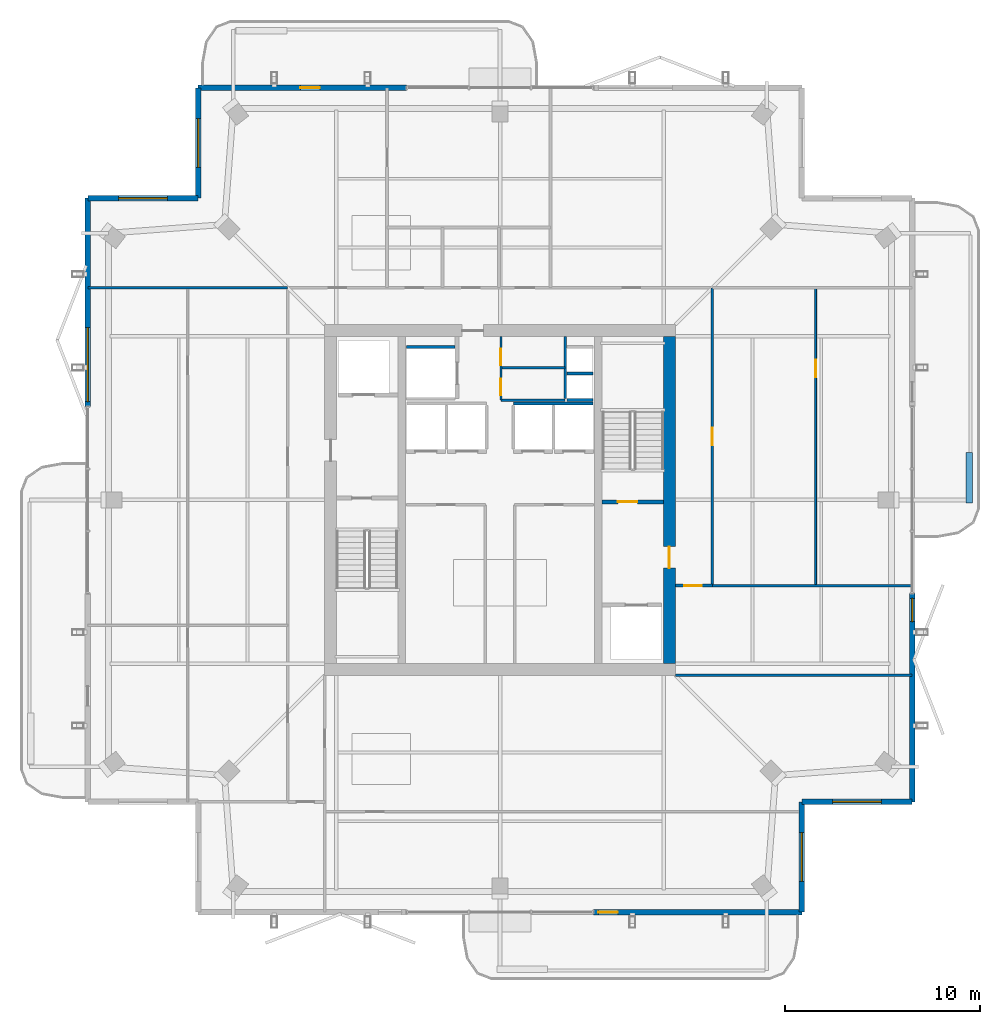
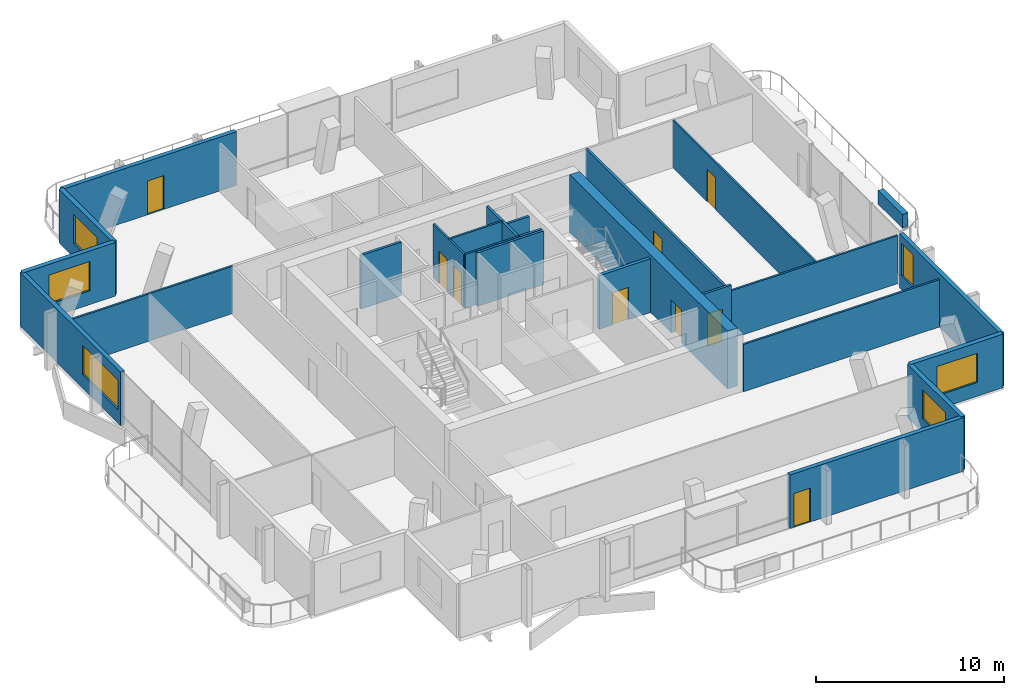
# One storey, part 16 of 20: 25 walls, 9 doors, 6 windows, 15 openings.
"""IFC4 building model written with IfcOpenShell, lengths in metres."""

from ifc_helpers import new_model, si_unit, direction, frame, frame_2d, origin, place, context, subcontext, project, spatial, rectangle, extrude, material, layer, layer_set, type_object, element, fill, save


model = new_model("IFC4")

# Units and contexts
model_context = context("Model", 3, precision=1e-05, world=origin(), true_north=direction((0.0, 1.0)))
body_context = subcontext(model_context, "Body", "Model", "MODEL_VIEW")
ifc_project = project(units=[si_unit("LENGTHUNIT", "METRE"), si_unit("AREAUNIT", "SQUARE_METRE"), si_unit("VOLUMEUNIT", "CUBIC_METRE"), si_unit("PLANEANGLEUNIT", "RADIAN"), si_unit("MASSUNIT", "GRAM", prefix="KILO")], contexts=[model_context])

# Site, building, storey
site_placement = place(None, origin())
site = spatial("IfcSite", under=ifc_project, at=site_placement, CompositionType="ELEMENT")
building_placement = place(site_placement, origin())
building = spatial("IfcBuilding", under=site, at=building_placement, Name="Belovzor Exchange Tower", CompositionType="ELEMENT")
storey_placement = place(building_placement, frame((0.0, 0.0, 351.75)))
storey = spatial("IfcBuildingStorey", under=building, at=storey_placement, Name="L88", CompositionType="ELEMENT", Elevation=351.75)

# Walls
ifc_material_1 = material(Name="Acoustic Plasterboard on Galvanised Studs", Category="gypsum")
ifc_layer_1 = layer(ifc_material_1, 0.1201171875)
ifc_layer_set_1 = layer_set([ifc_layer_1], Name="Acoustic Plasterboard on Galvanised Studs")
wall_type_1 = type_object("IfcWallType", Name="Acoustic Double-Stud Partition Wall 120", PredefinedType="PARTITIONING", material=ifc_layer_set_1)
wall_1_placement = place(storey_placement, frame((37.800048828125, 19.800048828125, 0.0), z_axis=(0.0, 0.0, 1.0), x_axis=(1.0, 0.0, 0.0)))
element("IfcWall", 1, at=wall_1_placement, inside=storey, type_object=wall_type_1, Name="W-P120 Partition Wall W-L88-ESS", PredefinedType="PARTITIONING", context=body_context, shape_type="SweptSolid", body=[
    extrude(rectangle(XDim=12.169921875, YDim=0.1201171875, at=frame_2d((6.0849609375, 0.0))), origin(), (0.0, 0.0, 1.0), 3.074951171875),
])
wall_2_placement = place(storey_placement, frame((39.699951171875, 24.39990234375, 0.0), z_axis=(0.0, 0.0, 1.0), x_axis=(1.0, 0.0, 0.0)))
element("IfcWall", 2, at=wall_2_placement, inside=storey, type_object=wall_type_1, Name="W-P120 Partition Wall W-L88-ESN", PredefinedType="PARTITIONING", context=body_context, shape_type="SweptSolid", body=[
    extrude(rectangle(XDim=10.27001953125, YDim=0.1201171875, at=frame_2d((5.135009765625, 0.0))), origin(), (0.0, 0.0, 1.0), 3.114990234375),
])
wall_3_placement = place(storey_placement, frame((7.6298828125, 39.699951171875, 0.0), z_axis=(0.0, 0.0, 1.0), x_axis=(1.0, 0.0, 0.0)))
element("IfcWall", 3, at=wall_3_placement, inside=storey, type_object=wall_type_1, Name="W-P120 Partition Wall W-L88-END-NW", PredefinedType="PARTITIONING", context=body_context, shape_type="SweptSolid", body=[
    extrude(rectangle(XDim=10.27001953125, YDim=0.1201171875, at=frame_2d((5.135009765625, 0.0))), origin(), (0.0, 0.0, 1.0), 3.074951171875),
])

# Wall, opening, door
ifc_material_2 = material(Name="Acoustic Laminated Glass and Aluminium", Category="aluminium")
ifc_layer_2 = layer(ifc_material_2, 0.10009765625)
ifc_layer_set_2 = layer_set([ifc_layer_2], Name="Acoustic Laminated Glass and Aluminium")
wall_type_2 = type_object("IfcWallType", Name="Demountable Executive Glass Partition 100", PredefinedType="MOVABLE", material=ifc_layer_set_2)
wall_4_placement = place(storey_placement, frame((45.006103515625, 24.39990234375, 0.0), z_axis=(0.0, 0.0, 1.0), x_axis=(0.0, 1.0, 0.0)))
wall_4 = element("IfcWall", 4, at=wall_4_placement, inside=storey, type_object=wall_type_2, Name="W-M100 Partition Wall W-L88-EHDIV-0", PredefinedType="MOVABLE", context=body_context, shape_type="SweptSolid", body=[
    extrude(rectangle(XDim=15.300048828125, YDim=0.10009765625, at=frame_2d((7.64990234375, 0.0))), origin(), (0.0, 0.0, 1.0), 3.074951171875),
])
opening_1_placement = place(wall_4_placement, frame((10.699951171875, 0.0, 0.0)))
opening_1 = element("IfcOpeningElement", 5, at=opening_1_placement, cuts=wall_4, Name="Opening D-INT-090", PredefinedType="OPENING", context=body_context, shape_type="SweptSolid", body=[
    extrude(rectangle(XDim=0.89990234375, YDim=2.10009765625, at=frame_2d((0.449951171875, 1.050048828125))), frame((0.0, 0.06005859375, 0.0), z_axis=(0.0, -1.0, 0.0), x_axis=(1.0, 0.0, 0.0)), (0.0, 0.0, 1.0), 0.1201171875),
])
ifc_material_3 = material(Name="Veneered Hardwood Acoustic Leaf", Category="wood")
door_type_1 = type_object("IfcDoorType", Name="Trading Suite Acoustic Single Door 900x2100", OperationType="NOTDEFINED", PredefinedType="DOOR", material=ifc_material_3)
door_1_placement = place(opening_1_placement, origin())
door_1 = element("IfcDoor", 6, at=door_1_placement, inside=storey, type_object=door_type_1, Name="D-INT-090 Trading Suite Acoustic Single Door 900x2100", OperationType="SINGLE_SWING_RIGHT", OverallHeight=2.10009765625, OverallWidth=0.89990234375, PredefinedType="DOOR", context=body_context, shape_type="SweptSolid", body=[
    extrude(rectangle(XDim=0.89990234375, YDim=2.10009765625, at=frame_2d((0.449951171875, 1.050048828125))), frame((0.0, 0.02490234375, 0.0), z_axis=(0.0, -1.0, 0.0), x_axis=(1.0, 0.0, 0.0)), (0.0, 0.0, 1.0), 0.050048828125),
])
fill(opening_1, door_1)

# Wall, openings, doors
ifc_material_4 = material(Name="Fire-Rated Plasterboard on Galvanised Studs", Category="gypsum")
ifc_layer_3 = layer(ifc_material_4, 0.1201171875)
ifc_layer_set_3 = layer_set([ifc_layer_3], Name="Fire-Rated Plasterboard on Galvanised Studs")
wall_type_3 = type_object("IfcWallType", Name="Fire-Rated Double-Stud Partition Wall 120", PredefinedType="PARTITIONING", material=ifc_layer_set_3)
wall_5_placement = place(storey_placement, frame((28.85009765625, 33.925048828125, 0.0), z_axis=(0.0, 0.0, 1.0), x_axis=(0.0, 1.0, 0.0)))
wall_5 = element("IfcWall", 7, at=wall_5_placement, inside=storey, type_object=wall_type_3, Name="W-P120F Partition Wall W-CRV-L88-W", PredefinedType="PARTITIONING", context=body_context, shape_type="SweptSolid", body=[
    extrude(rectangle(XDim=3.27490234375, YDim=0.1201171875, at=frame_2d((1.637451171875, 0.0))), origin(), (0.0, 0.0, 1.0), 3.489990234375),
])
opening_2_placement = place(wall_5_placement, frame((0.25, 0.0, 0.0)))
opening_2 = element("IfcOpeningElement", 8, at=opening_2_placement, cuts=wall_5, Name="Opening D-FD60-085", PredefinedType="OPENING", context=body_context, shape_type="SweptSolid", body=[
    extrude(rectangle(XDim=0.85009765625, YDim=2.10009765625, at=frame_2d((0.425048828125, 1.050048828125))), frame((0.0, 0.070068359375, 0.0), z_axis=(0.0, -1.0, 0.0), x_axis=(1.0, 0.0, 0.0)), (0.0, 0.0, 1.0), 0.14013671875),
])
opening_3_placement = place(wall_5_placement, frame((1.794921875, 0.0, 0.0)))
opening_3 = element("IfcOpeningElement", 9, at=opening_3_placement, cuts=wall_5, Name="Opening D-FD60-085", PredefinedType="OPENING", context=body_context, shape_type="SweptSolid", body=[
    extrude(rectangle(XDim=0.85009765625, YDim=2.10009765625, at=frame_2d((0.425048828125, 1.050048828125))), frame((0.0, 0.070068359375, 0.0), z_axis=(0.0, -1.0, 0.0), x_axis=(1.0, 0.0, 0.0)), (0.0, 0.0, 1.0), 0.14013671875),
])
ifc_material_5 = material(Name="Fire-Rated Steel Access Leaf", Category="steel")
door_type_2 = type_object("IfcDoorType", Name="Riser & Meter Closet Access Fire Door 850x2100", OperationType="NOTDEFINED", PredefinedType="DOOR", material=ifc_material_5)
door_2_placement = place(opening_2_placement, origin())
door_2 = element("IfcDoor", 10, at=door_2_placement, inside=storey, type_object=door_type_2, Name="D-FD60-085 Riser & Meter Closet Access Fire Door 850x2100", OperationType="SINGLE_SWING_LEFT", OverallHeight=2.10009765625, OverallWidth=0.85009765625, PredefinedType="DOOR", context=body_context, shape_type="SweptSolid", body=[
    extrude(rectangle(XDim=0.85009765625, YDim=2.10009765625, at=frame_2d((0.425048828125, 1.050048828125))), frame((0.0, 0.02490234375, 0.0), z_axis=(0.0, -1.0, 0.0), x_axis=(1.0, 0.0, 0.0)), (0.0, 0.0, 1.0), 0.050048828125),
])
fill(opening_2, door_2)
door_3_placement = place(opening_3_placement, origin())
door_3 = element("IfcDoor", 11, at=door_3_placement, inside=storey, type_object=door_type_2, Name="D-FD60-085 Riser & Meter Closet Access Fire Door 850x2100", OperationType="SINGLE_SWING_RIGHT", OverallHeight=2.10009765625, OverallWidth=0.85009765625, PredefinedType="DOOR", context=body_context, shape_type="SweptSolid", body=[
    extrude(rectangle(XDim=0.85009765625, YDim=2.10009765625, at=frame_2d((0.425048828125, 1.050048828125))), frame((0.0, 0.02490234375, 0.0), z_axis=(0.0, -1.0, 0.0), x_axis=(1.0, 0.0, 0.0)), (0.0, 0.0, 1.0), 0.050048828125),
])
fill(opening_3, door_3)

# Walls
for number, where, z_axis, x_axis, name in (
    (12, (28.85009765625, 35.60009765625, 0.0), (0.0, 0.0, 1.0), (1.0, 0.0, 0.0), "W-P120F Partition Wall W-CRV-L88-M"),
    (13, (28.85009765625, 33.925048828125, 0.0), (0.0, 0.0, 1.0), (1.0, 0.0, 0.0), "W-P120F Partition Wall W-CRV-L88-S"),
):
    element("IfcWall", number, at=place(storey_placement, frame(where, z_axis=z_axis, x_axis=x_axis)), inside=storey, type_object=wall_type_3, Name=name, PredefinedType="PARTITIONING", context=body_context, shape_type="SweptSolid", body=[
        extrude(rectangle(XDim=3.2998046875, YDim=0.1201171875, at=frame_2d((1.64990234375, 0.0))), origin(), (0.0, 0.0, 1.0), 3.489990234375),
    ])

# Wall, opening, door
ifc_material_6 = material(Name="Fire-Rated Gypsum Block and Mineral Wool", Category="gypsum")
ifc_layer_4 = layer(ifc_material_6, 0.14990234375)
ifc_layer_set_4 = layer_set([ifc_layer_4], Name="Fire-Rated Gypsum Block and Mineral Wool")
wall_type_4 = type_object("IfcWallType", Name="Fire-Rated Gypsum Block Corridor Wall 150", PredefinedType="PARTITIONING", material=ifc_layer_set_4)
wall_6_placement = place(storey_placement, frame((37.800048828125, 24.39990234375, 0.0), z_axis=(0.0, 0.0, 1.0), x_axis=(1.0, 0.0, 0.0)))
wall_6 = element("IfcWall", 14, at=wall_6_placement, inside=storey, type_object=wall_type_4, Name="W-P150 Partition Wall W-L88-CE-END", PredefinedType="PARTITIONING", context=body_context, shape_type="SweptSolid", body=[
    extrude(rectangle(XDim=1.89990234375, YDim=0.14990234375, at=frame_2d((0.949951171875, 0.0))), origin(), (0.0, 0.0, 1.0), 3.489990234375),
])
opening_4_placement = place(wall_6_placement, frame((0.449951171875, 0.0, 0.0)))
opening_4 = element("IfcOpeningElement", 15, at=opening_4_placement, cuts=wall_6, Name="Opening D-FD60-090", PredefinedType="OPENING", context=body_context, shape_type="SweptSolid", body=[
    extrude(rectangle(XDim=0.89990234375, YDim=2.10009765625, at=frame_2d((0.449951171875, 1.050048828125))), frame((0.0, 0.0849609375, 0.0), z_axis=(0.0, -1.0, 0.0), x_axis=(1.0, 0.0, 0.0)), (0.0, 0.0, 1.0), 0.169921875),
])
ifc_material_7 = material(Name="Acoustic Timber Fire Leaf", Category="wood")
door_type_3 = type_object("IfcDoorType", Name="Core Service & Restroom Fire Door 900x2100", OperationType="NOTDEFINED", PredefinedType="DOOR", material=ifc_material_7)
door_4_placement = place(opening_4_placement, origin())
door_4 = element("IfcDoor", 16, at=door_4_placement, inside=storey, type_object=door_type_3, Name="D-FD60-090 Core Service & Restroom Fire Door 900x2100", OperationType="SINGLE_SWING_LEFT", OverallHeight=2.10009765625, OverallWidth=0.89990234375, PredefinedType="DOOR", context=body_context, shape_type="SweptSolid", body=[
    extrude(rectangle(XDim=0.89990234375, YDim=2.10009765625, at=frame_2d((0.449951171875, 1.050048828125))), frame((0.0, 0.02490234375, 0.0), z_axis=(0.0, -1.0, 0.0), x_axis=(1.0, 0.0, 0.0)), (0.0, 0.0, 1.0), 0.050048828125),
])
fill(opening_4, door_4)

wall_7_placement = place(storey_placement, frame((39.699951171875, 24.39990234375, 0.0), z_axis=(0.0, 0.0, 1.0), x_axis=(0.0, 1.0, 0.0)))
wall_7 = element("IfcWall", 17, at=wall_7_placement, inside=storey, type_object=wall_type_4, Name="W-P150 Partition Wall W-L88-CE", PredefinedType="PARTITIONING", context=body_context, shape_type="SweptSolid", body=[
    extrude(rectangle(XDim=15.300048828125, YDim=0.14990234375, at=frame_2d((7.64990234375, 0.0))), origin(), (0.0, 0.0, 1.0), 3.074951171875),
])
opening_5_placement = place(wall_7_placement, frame((7.199951171875, 0.0, 0.0)))
opening_5 = element("IfcOpeningElement", 18, at=opening_5_placement, cuts=wall_7, Name="Opening D-INT-090", PredefinedType="OPENING", context=body_context, shape_type="SweptSolid", body=[
    extrude(rectangle(XDim=0.89990234375, YDim=2.10009765625, at=frame_2d((0.449951171875, 1.050048828125))), frame((0.0, 0.0849609375, 0.0), z_axis=(0.0, -1.0, 0.0), x_axis=(1.0, 0.0, 0.0)), (0.0, 0.0, 1.0), 0.169921875),
])
door_5_placement = place(opening_5_placement, origin())
door_5 = element("IfcDoor", 19, at=door_5_placement, inside=storey, type_object=door_type_1, Name="D-INT-090 Trading Suite Acoustic Single Door 900x2100", OperationType="SINGLE_SWING_LEFT", OverallHeight=2.10009765625, OverallWidth=0.89990234375, PredefinedType="DOOR", context=body_context, shape_type="SweptSolid", body=[
    extrude(rectangle(XDim=0.89990234375, YDim=2.10009765625, at=frame_2d((0.449951171875, 1.050048828125))), frame((0.0, 0.02490234375, 0.0), z_axis=(0.0, -1.0, 0.0), x_axis=(1.0, 0.0, 0.0)), (0.0, 0.0, 1.0), 0.050048828125),
])
fill(opening_5, door_5)

# Wall, opening, window
ifc_material_8 = material(Name="Precast concrete C40/50", Category="concrete")
ifc_layer_5 = layer(ifc_material_8, 0.280029296875)
ifc_layer_set_5 = layer_set([ifc_layer_5], Name="Precast concrete C40/50")
wall_type_5 = type_object("IfcWallType", Name="Precast Concrete Notched Corner Frame Wall 280", PredefinedType="SOLIDWALL", material=ifc_layer_set_5)
wall_8_placement = place(storey_placement, frame((7.6298828125, 44.300048828125, 0.0), z_axis=(0.0, 0.0, 1.0), x_axis=(1.0, 0.0, 0.0)))
wall_8 = element("IfcWall", 20, at=wall_8_placement, inside=storey, type_object=wall_type_5, Name="W-CRN280 Precast Concrete Notched Corner Frame Wall 280 L88", PredefinedType="SOLIDWALL", context=body_context, shape_type="SweptSolid", body=[
    extrude(rectangle(XDim=5.670166015625, YDim=0.280029296875, at=frame_2d((2.8349609375, 0.0))), origin(), (0.0, 0.0, 1.0), 3.489990234375),
])
opening_6_placement = place(wall_8_placement, frame((1.5849609375, 0.0, 0.89990234375)))
opening_6 = element("IfcOpeningElement", 21, at=opening_6_placement, cuts=wall_8, Name="Opening WN-CRN250", PredefinedType="OPENING", context=body_context, shape_type="SweptSolid", body=[
    extrude(rectangle(XDim=2.5, YDim=1.89990234375, at=frame_2d((1.25, 0.949951171875))), frame((0.0, 0.14990234375, 0.0), z_axis=(0.0, -1.0, 0.0), x_axis=(1.0, 0.0, 0.0)), (0.0, 0.0, 1.0), 0.300048828125),
])
ifc_material_9 = material(Name="Thermally Broken Aluminium and Triple Glazing", Category="aluminium")
window_type_1 = type_object("IfcWindowType", Name="Streamline Moderne Corner Wrap Ribbon Window 2500x1900", PartitioningType="SINGLE_PANEL", PredefinedType="WINDOW", material=ifc_material_9)
window_1_placement = place(opening_6_placement, origin())
window_1 = element("IfcWindow", 22, at=window_1_placement, inside=storey, type_object=window_type_1, Name="WN-CRN250 Streamline Moderne Corner Wrap Ribbon Window 2500x1900", OverallHeight=1.89990234375, OverallWidth=2.5, PartitioningType="SINGLE_PANEL", PredefinedType="WINDOW", context=body_context, shape_type="SweptSolid", body=[
    extrude(rectangle(XDim=2.5, YDim=1.89990234375, at=frame_2d((1.25, 0.949951171875))), frame((0.0, 0.030029296875, 0.0), z_axis=(0.0, -1.0, 0.0), x_axis=(1.0, 0.0, 0.0)), (0.0, 0.0, 1.0), 0.06005859375),
])
fill(opening_6, window_1)

wall_9_placement = place(storey_placement, frame((13.300048828125, 44.300048828125, 0.0), z_axis=(0.0, 0.0, 1.0), x_axis=(0.0, 1.0, 0.0)))
wall_9 = element("IfcWall", 23, at=wall_9_placement, inside=storey, type_object=wall_type_5, Name="W-CRN280 Precast Concrete Notched Corner Frame Wall 280 L88", PredefinedType="SOLIDWALL", context=body_context, shape_type="SweptSolid", body=[
    extrude(rectangle(XDim=5.669921875, YDim=0.280029296875, at=frame_2d((2.8349609375, 0.0))), origin(), (0.0, 0.0, 1.0), 3.489990234375),
])
opening_7_placement = place(wall_9_placement, frame((1.5849609375, 0.0, 0.89990234375)))
opening_7 = element("IfcOpeningElement", 24, at=opening_7_placement, cuts=wall_9, Name="Opening WN-CRN250", PredefinedType="OPENING", context=body_context, shape_type="SweptSolid", body=[
    extrude(rectangle(XDim=2.5, YDim=1.89990234375, at=frame_2d((1.25, 0.949951171875))), frame((0.0, 0.14990234375, 0.0), z_axis=(0.0, -1.0, 0.0), x_axis=(1.0, 0.0, 0.0)), (0.0, 0.0, 1.0), 0.300048828125),
])
window_2_placement = place(opening_7_placement, origin())
window_2 = element("IfcWindow", 25, at=window_2_placement, inside=storey, type_object=window_type_1, Name="WN-CRN250 Streamline Moderne Corner Wrap Ribbon Window 2500x1900", OverallHeight=1.89990234375, OverallWidth=2.5, PartitioningType="SINGLE_PANEL", PredefinedType="WINDOW", context=body_context, shape_type="SweptSolid", body=[
    extrude(rectangle(XDim=2.5, YDim=1.89990234375, at=frame_2d((1.25, 0.949951171875))), frame((0.0, 0.030029296875, 0.0), z_axis=(0.0, -1.0, 0.0), x_axis=(1.0, 0.0, 0.0)), (0.0, 0.0, 1.0), 0.06005859375),
])
fill(opening_7, window_2)

wall_10_placement = place(storey_placement, frame((49.969970703125, 13.300048828125, 0.0), z_axis=(0.0, 0.0, 1.0), x_axis=(-1.0, 0.0, 0.0)))
wall_10 = element("IfcWall", 26, at=wall_10_placement, inside=storey, type_object=wall_type_5, Name="W-CRN280 Precast Concrete Notched Corner Frame Wall 280 L88", PredefinedType="SOLIDWALL", context=body_context, shape_type="SweptSolid", body=[
    extrude(rectangle(XDim=5.669921875, YDim=0.280029296875, at=frame_2d((2.8349609375, 0.0))), origin(), (0.0, 0.0, 1.0), 3.489990234375),
])
opening_8_placement = place(wall_10_placement, frame((1.5849609375, 0.0, 0.89990234375)))
opening_8 = element("IfcOpeningElement", 27, at=opening_8_placement, cuts=wall_10, Name="Opening WN-CRN250", PredefinedType="OPENING", context=body_context, shape_type="SweptSolid", body=[
    extrude(rectangle(XDim=2.5, YDim=1.89990234375, at=frame_2d((1.25, 0.949951171875))), frame((0.0, 0.14990234375, 0.0), z_axis=(0.0, -1.0, 0.0), x_axis=(1.0, 0.0, 0.0)), (0.0, 0.0, 1.0), 0.300048828125),
])
window_3_placement = place(opening_8_placement, origin())
window_3 = element("IfcWindow", 28, at=window_3_placement, inside=storey, type_object=window_type_1, Name="WN-CRN250 Streamline Moderne Corner Wrap Ribbon Window 2500x1900", OverallHeight=1.89990234375, OverallWidth=2.5, PartitioningType="SINGLE_PANEL", PredefinedType="WINDOW", context=body_context, shape_type="SweptSolid", body=[
    extrude(rectangle(XDim=2.5, YDim=1.89990234375, at=frame_2d((1.25, 0.949951171875))), frame((0.0, 0.030029296875, 0.0), z_axis=(0.0, -1.0, 0.0), x_axis=(1.0, 0.0, 0.0)), (0.0, 0.0, 1.0), 0.06005859375),
])
fill(opening_8, window_3)

wall_11_placement = place(storey_placement, frame((44.300048828125, 13.300048828125, 0.0), z_axis=(0.0, 0.0, 1.0), x_axis=(0.0, -1.0, 0.0)))
wall_11 = element("IfcWall", 29, at=wall_11_placement, inside=storey, type_object=wall_type_5, Name="W-CRN280 Precast Concrete Notched Corner Frame Wall 280 L88", PredefinedType="SOLIDWALL", context=body_context, shape_type="SweptSolid", body=[
    extrude(rectangle(XDim=5.670166015625, YDim=0.280029296875, at=frame_2d((2.8349609375, 0.0))), origin(), (0.0, 0.0, 1.0), 3.489990234375),
])
opening_9_placement = place(wall_11_placement, frame((1.5849609375, 0.0, 0.89990234375)))
opening_9 = element("IfcOpeningElement", 30, at=opening_9_placement, cuts=wall_11, Name="Opening WN-CRN250", PredefinedType="OPENING", context=body_context, shape_type="SweptSolid", body=[
    extrude(rectangle(XDim=2.5, YDim=1.89990234375, at=frame_2d((1.25, 0.949951171875))), frame((0.0, 0.14990234375, 0.0), z_axis=(0.0, -1.0, 0.0), x_axis=(1.0, 0.0, 0.0)), (0.0, 0.0, 1.0), 0.300048828125),
])
window_4_placement = place(opening_9_placement, origin())
window_4 = element("IfcWindow", 31, at=window_4_placement, inside=storey, type_object=window_type_1, Name="WN-CRN250 Streamline Moderne Corner Wrap Ribbon Window 2500x1900", OverallHeight=1.89990234375, OverallWidth=2.5, PartitioningType="SINGLE_PANEL", PredefinedType="WINDOW", context=body_context, shape_type="SweptSolid", body=[
    extrude(rectangle(XDim=2.5, YDim=1.89990234375, at=frame_2d((1.25, 0.949951171875))), frame((0.0, 0.030029296875, 0.0), z_axis=(0.0, -1.0, 0.0), x_axis=(1.0, 0.0, 0.0)), (0.0, 0.0, 1.0), 0.06005859375),
])
fill(opening_9, window_4)

# Wall, opening, door
ifc_material_10 = material(Name="Precast concrete C40/50", Category="concrete")
ifc_layer_6 = layer(ifc_material_10, 0.260009765625)
ifc_layer_set_6 = layer_set([ifc_layer_6], Name="Precast concrete C40/50")
wall_type_6 = type_object("IfcWallType", Name="Precast Concrete Perimeter Loggia Frame Wall 260", PredefinedType="SOLIDWALL", material=ifc_layer_set_6)
wall_12_placement = place(storey_placement, frame((44.300048828125, 7.6298828125, 0.0), z_axis=(0.0, 0.0, 1.0), x_axis=(-1.0, 0.0, 0.0)))
wall_12 = element("IfcWall", 32, at=wall_12_placement, inside=storey, type_object=wall_type_6, Name="W-EXT260 Precast Concrete Perimeter Loggia Frame Wall 260 L88", PredefinedType="SOLIDWALL", context=body_context, shape_type="SweptSolid", body=[
    extrude(rectangle(XDim=10.699951171875, YDim=0.260009765625, at=frame_2d((5.35009765625, 0.0))), origin(), (0.0, 0.0, 1.0), 3.489990234375),
])
opening_10_placement = place(wall_12_placement, frame((9.449951171875, 0.0, 0.0)))
opening_10 = element("IfcOpeningElement", 33, at=opening_10_placement, cuts=wall_12, Name="Opening D-BAL100", PredefinedType="OPENING", context=body_context, shape_type="SweptSolid", body=[
    extrude(rectangle(XDim=1.0, YDim=2.199951171875, at=frame_2d((0.5, 1.10009765625))), frame((0.0, 0.139892578125, 0.0), z_axis=(0.0, -1.0, 0.0), x_axis=(1.0, 0.0, 0.0)), (0.0, 0.0, 1.0), 0.280029296875),
])
ifc_material_11 = material(Name="Thermally Broken Anodised Aluminium and Laminated Glass", Category="aluminium")
door_type_4 = type_object("IfcDoorType", Name="Planted Loggia Terrace Glazed Door 1000x2200", OperationType="SINGLE_SWING_LEFT", PredefinedType="DOOR", material=ifc_material_11)
door_6_placement = place(opening_10_placement, origin())
door_6 = element("IfcDoor", 34, at=door_6_placement, inside=storey, type_object=door_type_4, Name="D-BAL100 Balcony Terrace Door L88 S", OperationType="SINGLE_SWING_LEFT", OverallHeight=2.199951171875, OverallWidth=1.0, PredefinedType="DOOR", context=body_context, shape_type="SweptSolid", body=[
    extrude(rectangle(XDim=1.0, YDim=2.199951171875, at=frame_2d((0.5, 1.10009765625))), frame((0.0, 0.02490234375, 0.0), z_axis=(0.0, -1.0, 0.0), x_axis=(1.0, 0.0, 0.0)), (0.0, 0.0, 1.0), 0.050048828125),
])
fill(opening_10, door_6)

wall_13_placement = place(storey_placement, frame((13.300048828125, 49.969970703125, 0.0), z_axis=(0.0, 0.0, 1.0), x_axis=(1.0, 0.0, 0.0)))
wall_13 = element("IfcWall", 35, at=wall_13_placement, inside=storey, type_object=wall_type_6, Name="W-EXT260 Precast Concrete Perimeter Loggia Frame Wall 260 L88", PredefinedType="SOLIDWALL", context=body_context, shape_type="SweptSolid", body=[
    extrude(rectangle(XDim=10.699951171875, YDim=0.260009765625, at=frame_2d((5.35009765625, 0.0))), origin(), (0.0, 0.0, 1.0), 3.489990234375),
])
opening_11_placement = place(wall_13_placement, frame((5.243896484375, 0.0, 0.0)))
opening_11 = element("IfcOpeningElement", 36, at=opening_11_placement, cuts=wall_13, Name="Opening D-BAL100", PredefinedType="OPENING", context=body_context, shape_type="SweptSolid", body=[
    extrude(rectangle(XDim=1.0, YDim=2.199951171875, at=frame_2d((0.5, 1.10009765625))), frame((0.0, 0.139892578125, 0.0), z_axis=(0.0, -1.0, 0.0), x_axis=(1.0, 0.0, 0.0)), (0.0, 0.0, 1.0), 0.280029296875),
])
door_7_placement = place(opening_11_placement, origin())
door_7 = element("IfcDoor", 37, at=door_7_placement, inside=storey, type_object=door_type_4, Name="D-BAL100 Balcony Terrace Door L88 N", OperationType="SINGLE_SWING_RIGHT", OverallHeight=2.199951171875, OverallWidth=1.0, PredefinedType="DOOR", context=body_context, shape_type="SweptSolid", body=[
    extrude(rectangle(XDim=1.0, YDim=2.199951171875, at=frame_2d((0.5, 1.10009765625))), frame((0.0, 0.02490234375, 0.0), z_axis=(0.0, -1.0, 0.0), x_axis=(1.0, 0.0, 0.0)), (0.0, 0.0, 1.0), 0.050048828125),
])
fill(opening_11, door_7)

# Wall, opening, window
wall_14_placement = place(storey_placement, frame((7.6298828125, 33.60009765625, 0.0), z_axis=(0.0, 0.0, 1.0), x_axis=(0.0, 1.0, 0.0)))
wall_14 = element("IfcWall", 38, at=wall_14_placement, inside=storey, type_object=wall_type_6, Name="W-EXT260 Precast Concrete Perimeter Loggia Frame Wall 260 L88", PredefinedType="SOLIDWALL", context=body_context, shape_type="SweptSolid", body=[
    extrude(rectangle(XDim=10.699951171875, YDim=0.260009765625, at=frame_2d((5.35009765625, 0.0))), origin(), (0.0, 0.0, 1.0), 3.489990234375),
])
opening_12_placement = place(wall_14_placement, frame((0.25, 0.0, 0.89990234375)))
opening_12 = element("IfcOpeningElement", 39, at=opening_12_placement, cuts=wall_14, Name="Opening WN-RIB380", PredefinedType="OPENING", context=body_context, shape_type="SweptSolid", body=[
    extrude(rectangle(XDim=3.800048828125, YDim=1.89990234375, at=frame_2d((1.89990234375, 0.949951171875))), frame((0.0, 0.139892578125, 0.0), z_axis=(0.0, -1.0, 0.0), x_axis=(1.0, 0.0, 0.0)), (0.0, 0.0, 1.0), 0.280029296875),
])
ifc_material_12 = material(Name="Thermally Broken Aluminium and Triple Glazing", Category="aluminium")
window_type_2 = type_object("IfcWindowType", Name="Streamline Moderne Horizontal Ribbon Window 3800x1900", PartitioningType="SINGLE_PANEL", PredefinedType="WINDOW", material=ifc_material_12)
window_5_placement = place(opening_12_placement, origin())
window_5 = element("IfcWindow", 40, at=window_5_placement, inside=storey, type_object=window_type_2, Name="WN-RIB380 Streamline Moderne Horizontal Ribbon Window 3800x1900", OverallHeight=1.89990234375, OverallWidth=3.800048828125, PartitioningType="SINGLE_PANEL", PredefinedType="WINDOW", context=body_context, shape_type="SweptSolid", body=[
    extrude(rectangle(XDim=3.800048828125, YDim=1.89990234375, at=frame_2d((1.89990234375, 0.949951171875))), frame((0.0, 0.030029296875, 0.0), z_axis=(0.0, -1.0, 0.0), x_axis=(1.0, 0.0, 0.0)), (0.0, 0.0, 1.0), 0.06005859375),
])
fill(opening_12, window_5)

wall_15_placement = place(storey_placement, frame((49.969970703125, 24.0, 0.0), z_axis=(0.0, 0.0, 1.0), x_axis=(0.0, -1.0, 0.0)))
wall_15 = element("IfcWall", 41, at=wall_15_placement, inside=storey, type_object=wall_type_6, Name="W-EXT260 Precast Concrete Perimeter Loggia Frame Wall 260 L88", PredefinedType="SOLIDWALL", context=body_context, shape_type="SweptSolid", body=[
    extrude(rectangle(XDim=10.699951171875, YDim=0.260009765625, at=frame_2d((5.35009765625, 0.0))), origin(), (0.0, 0.0, 1.0), 3.489990234375),
])
opening_13_placement = place(wall_15_placement, frame((0.25, 0.0, 0.89990234375)))
opening_13 = element("IfcOpeningElement", 42, at=opening_13_placement, cuts=wall_15, Name="Opening WN-CRN120", PredefinedType="OPENING", context=body_context, shape_type="SweptSolid", body=[
    extrude(rectangle(XDim=1.199951171875, YDim=2.10009765625, at=frame_2d((0.60009765625, 1.050048828125))), frame((0.0, 0.139892578125, 0.0), z_axis=(0.0, -1.0, 0.0), x_axis=(1.0, 0.0, 0.0)), (0.0, 0.0, 1.0), 0.280029296875),
])
ifc_material_13 = material(Name="Thermally Broken Aluminium and Triple Glazing", Category="aluminium")
window_type_3 = type_object("IfcWindowType", Name="Streamline Notched Corner Window 1200x2100", PartitioningType="SINGLE_PANEL", PredefinedType="WINDOW", material=ifc_material_13)
window_6_placement = place(opening_13_placement, origin())
window_6 = element("IfcWindow", 43, at=window_6_placement, inside=storey, type_object=window_type_3, Name="WN-CRN120 Streamline Notched Corner Window 1200x2100", OverallHeight=2.10009765625, OverallWidth=1.199951171875, PartitioningType="SINGLE_PANEL", PredefinedType="WINDOW", context=body_context, shape_type="SweptSolid", body=[
    extrude(rectangle(XDim=1.199951171875, YDim=2.10009765625, at=frame_2d((0.60009765625, 1.050048828125))), frame((0.0, 0.030029296875, 0.0), z_axis=(0.0, -1.0, 0.0), x_axis=(1.0, 0.0, 0.0)), (0.0, 0.0, 1.0), 0.06005859375),
])
fill(opening_13, window_6)

# Walls
ifc_material_14 = material(Name="Precast concrete C40/50", Category="concrete")
ifc_layer_7 = layer(ifc_material_14, 0.35009765625)
ifc_layer_set_7 = layer_set([ifc_layer_7], Name="Precast concrete C40/50")
wall_type_7 = type_object("IfcWallType", Name="Precast Concrete Structural Tree Planter Trough 350", PredefinedType="PARAPET", material=ifc_layer_set_7)
wall_16_placement = place(storey_placement, frame((52.89990234375, 28.64990234375, 0.0), z_axis=(0.0, 0.0, 1.0), x_axis=(0.0, 1.0, 0.0)))
element("IfcWall", 44, at=wall_16_placement, inside=storey, type_object=wall_type_7, Name="PT-350 Precast Concrete Structural Tree Planter Trough 350 L88", PredefinedType="PARAPET", context=body_context, shape_type="SweptSolid", body=[
    extrude(rectangle(XDim=2.60009765625, YDim=0.35009765625, at=frame_2d((1.300048828125, 0.0))), origin(), (0.0, 0.0, 1.0), 0.89990234375),
])
ifc_material_15 = material(Name="Concrete C50/60", Category="concrete")
ifc_layer_8 = layer(ifc_material_15, 0.14990234375)
ifc_layer_set_8 = layer_set([ifc_layer_8], Name="Concrete C50/60")
wall_type_8 = type_object("IfcWallType", Name="Reinforced Concrete Core Riser Shear Wall 150", PredefinedType="SHEAR", material=ifc_layer_set_8)
wall_17_placement = place(storey_placement, frame((32.14990234375, 34.0, 0.0), z_axis=(0.0, 0.0, 1.0), x_axis=(0.0, 1.0, 0.0)))
element("IfcWall", 45, at=wall_17_placement, inside=storey, type_object=wall_type_8, Name="W-C150S Core Shaft Wall W-RSR-L88-E", PredefinedType="SHEAR", context=body_context, shape_type="SweptSolid", body=[
    extrude(rectangle(XDim=3.199951171875, YDim=0.14990234375, at=frame_2d((1.60009765625, 0.0))), origin(), (0.0, 0.0, 1.0), 3.489990234375),
])
for number, where, z_axis, x_axis, name in (
    (46, (32.25, 33.925048828125, 0.0), (0.0, 0.0, 1.0), (1.0, 0.0, 0.0), "W-C150S Core Shaft Wall W-RSR-L88-S"),
    (47, (32.25, 35.300048828125, 0.0), (0.0, 0.0, 1.0), (1.0, 0.0, 0.0), "W-C150S Core Shaft Wall W-RSR-L88-M"),
):
    element("IfcWall", number, at=place(storey_placement, frame(where, z_axis=z_axis, x_axis=x_axis)), inside=storey, type_object=wall_type_8, Name=name, PredefinedType="SHEAR", context=body_context, shape_type="SweptSolid", body=[
        extrude(rectangle(XDim=1.330078125, YDim=0.14990234375, at=frame_2d((0.6650390625, 0.0))), origin(), (0.0, 0.0, 1.0), 3.489990234375),
    ])
wall_18_placement = place(storey_placement, frame((24.0, 36.64990234375, 0.0), z_axis=(0.0, 0.0, 1.0), x_axis=(1.0, 0.0, 0.0)))
element("IfcWall", 48, at=wall_18_placement, inside=storey, type_object=wall_type_8, Name="W-C150S Core Shaft Wall W-SH-L88-SL-01N", PredefinedType="SHEAR", context=body_context, shape_type="SweptSolid", body=[
    extrude(rectangle(XDim=2.47998046875, YDim=0.14990234375, at=frame_2d((1.239990234375, 0.0))), origin(), (0.0, 0.0, 1.0), 3.489990234375),
])
wall_19_placement = place(storey_placement, frame((29.5, 33.760009765625, 0.0), z_axis=(0.0, 0.0, 1.0), x_axis=(1.0, 0.0, 0.0)))
element("IfcWall", 49, at=wall_19_placement, inside=storey, type_object=wall_type_8, Name="W-C150S Core Shaft Wall W-SHB-L88-PLH-NE", PredefinedType="SHEAR", context=body_context, shape_type="SweptSolid", body=[
    extrude(rectangle(XDim=4.080078125, YDim=0.14990234375, at=frame_2d((2.0400390625, 0.0))), origin(), (0.0, 0.0, 1.0), 3.489990234375),
])

# Wall, opening, door
ifc_material_16 = material(Name="Concrete C50/60", Category="concrete")
ifc_layer_9 = layer(ifc_material_16, 0.199951171875)
ifc_layer_set_9 = layer_set([ifc_layer_9], Name="Concrete C50/60")
wall_type_9 = type_object("IfcWallType", Name="Reinforced Concrete Core Shaft Shear Wall 200", PredefinedType="SHEAR", material=ifc_layer_set_9)
wall_20_placement = place(storey_placement, frame((34.050048828125, 28.699951171875, 0.0), z_axis=(0.0, 0.0, 1.0), x_axis=(1.0, 0.0, 0.0)))
wall_20 = element("IfcWall", 50, at=wall_20_placement, inside=storey, type_object=wall_type_9, Name="W-C200S Core Shaft Wall W-CORE-L88-FFLE2", PredefinedType="SHEAR", context=body_context, shape_type="SweptSolid", body=[
    extrude(rectangle(XDim=3.14990234375, YDim=0.199951171875, at=frame_2d((1.574951171875, 0.0))), origin(), (0.0, 0.0, 1.0), 3.489990234375),
])
opening_14_placement = place(wall_20_placement, frame((0.800048828125, 0.0, 0.0)))
opening_14 = element("IfcOpeningElement", 51, at=opening_14_placement, cuts=wall_20, Name="Opening D-FD90-100", PredefinedType="OPENING", context=body_context, shape_type="SweptSolid", body=[
    extrude(rectangle(XDim=1.0, YDim=2.10009765625, at=frame_2d((0.5, 1.050048828125))), frame((0.0, 0.10986328125, 0.0), z_axis=(0.0, -1.0, 0.0), x_axis=(1.0, 0.0, 0.0)), (0.0, 0.0, 1.0), 0.219970703125),
])
ifc_material_17 = material(Name="Fire-Rated Galvanised Steel Leaf", Category="steel")
door_type_5 = type_object("IfcDoorType", Name="Protected Stairwell Single Fire Door 1000x2100", OperationType="NOTDEFINED", PredefinedType="DOOR", material=ifc_material_17)
door_8_placement = place(opening_14_placement, origin())
door_8 = element("IfcDoor", 52, at=door_8_placement, inside=storey, type_object=door_type_5, Name="D-FD90-100 Protected Stairwell Single Fire Door 1000x2100", OperationType="SINGLE_SWING_LEFT", OverallHeight=2.10009765625, OverallWidth=1.0, PredefinedType="DOOR", context=body_context, shape_type="SweptSolid", body=[
    extrude(rectangle(XDim=1.0, YDim=2.10009765625, at=frame_2d((0.5, 1.050048828125))), frame((0.0, 0.02490234375, 0.0), z_axis=(0.0, -1.0, 0.0), x_axis=(1.0, 0.0, 0.0)), (0.0, 0.0, 1.0), 0.050048828125),
])
fill(opening_14, door_8)

ifc_material_18 = material(Name="Concrete C50/60", Category="concrete")
ifc_layer_10 = layer(ifc_material_18, 0.60009765625)
ifc_layer_set_10 = layer_set([ifc_layer_10], Name="Concrete C50/60")
wall_type_10 = type_object("IfcWallType", Name="Reinforced Concrete Core Shear Wall 600", PredefinedType="SHEAR", material=ifc_layer_set_10)
wall_21_placement = place(storey_placement, frame((37.5, 20.39990234375, 0.0), z_axis=(0.0, 0.0, 1.0), x_axis=(0.0, 1.0, 0.0)))
wall_21 = element("IfcWall", 53, at=wall_21_placement, inside=storey, type_object=wall_type_10, Name="CW-S060 Core Shear Wall L88 E", PredefinedType="SHEAR", context=body_context, shape_type="SweptSolid", body=[
    extrude(rectangle(XDim=16.800048828125, YDim=0.60009765625, at=frame_2d((8.39990234375, 0.0))), origin(), (0.0, 0.0, 1.0), 3.75),
])
opening_15_placement = place(wall_21_placement, frame((4.89990234375, 0.0, 0.0)))
opening_15 = element("IfcOpeningElement", 54, at=opening_15_placement, cuts=wall_21, Name="Opening D-FD90-110", PredefinedType="OPENING", context=body_context, shape_type="SweptSolid", body=[
    extrude(rectangle(XDim=1.10009765625, YDim=2.14990234375, at=frame_2d((0.550048828125, 1.074951171875))), frame((0.0, 0.31005859375, 0.0), z_axis=(0.0, -1.0, 0.0), x_axis=(1.0, 0.0, 0.0)), (0.0, 0.0, 1.0), 0.6201171875),
])
ifc_material_19 = material(Name="Fire-Rated Galvanised Steel Leaf", Category="steel")
door_type_6 = type_object("IfcDoorType", Name="Protected Escape Vestibule Fire Door 1100x2150", OperationType="NOTDEFINED", PredefinedType="DOOR", material=ifc_material_19)
door_9_placement = place(opening_15_placement, origin())
door_9 = element("IfcDoor", 55, at=door_9_placement, inside=storey, type_object=door_type_6, Name="D-FD90-110 Protected Escape Vestibule Fire Door 1100x2150", OperationType="SINGLE_SWING_RIGHT", OverallHeight=2.14990234375, OverallWidth=1.10009765625, PredefinedType="DOOR", context=body_context, shape_type="SweptSolid", body=[
    extrude(rectangle(XDim=1.10009765625, YDim=2.14990234375, at=frame_2d((0.550048828125, 1.074951171875))), frame((0.0, 0.02490234375, 0.0), z_axis=(0.0, -1.0, 0.0), x_axis=(1.0, 0.0, 0.0)), (0.0, 0.0, 1.0), 0.050048828125),
])
fill(opening_15, door_9)

save(model, "model.ifc")
